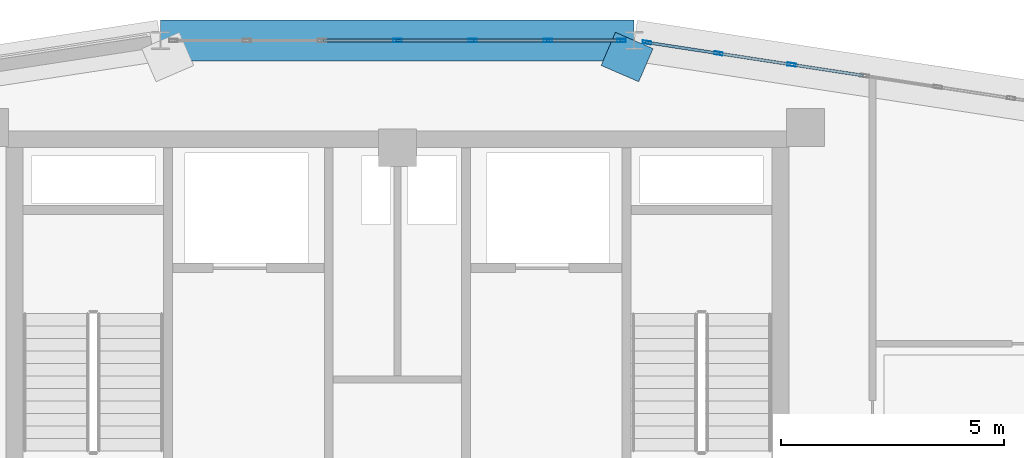
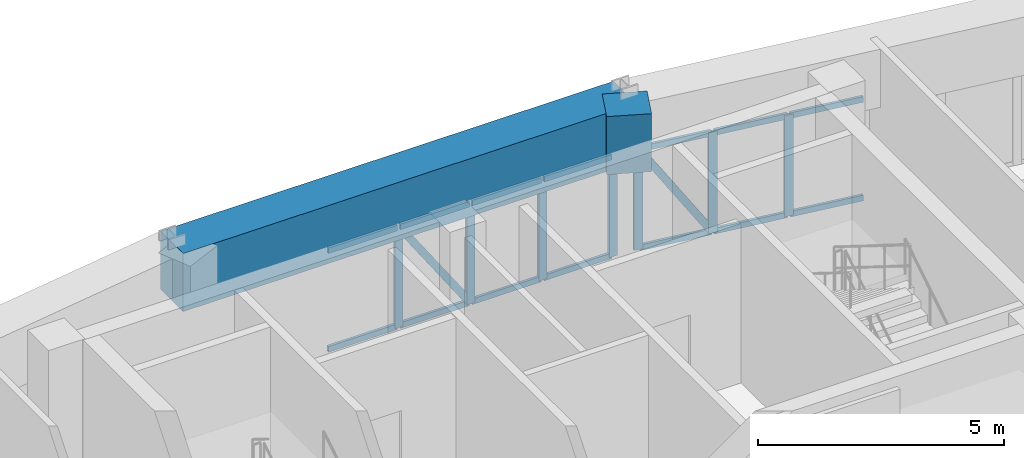
# One storey, part 9 of 16: 23 members, 2 beams, 2 elements without a shape of their own.
"""IFC4 building model written with IfcOpenShell, lengths in metres."""

import ifcopenshell
import ifcopenshell.guid

model = None  # the IFC model being written
_history = None  # IfcOwnerHistory: only IFC2X3 demands one
_inside = {}  # id of a spatial element -> (the spatial element, [elements in it])
_under = {}  # id of a project, library or spatial element -> (it, [spatial elements below it])
_declared = {}  # id of a project -> (the project, [libraries it declares])
_typed = {}  # id of a type object -> (the type object, [elements of that type])
_made_of = {}  # id of a material, layer set ... -> (it, [elements and type objects made of it])


def new_model(schema):
    """Start an empty IFC model of exactly this schema.

    Asked for "IFC4X3", IfcOpenShell would pick the latest addendum, in which some entities
    have other attributes; the version numbers below select the first issue.
    IFC2X3 requires an IfcOwnerHistory on every rooted entity: one is made here for all.
    """
    global model, _history
    if schema == "IFC4X3":
        model = ifcopenshell.file(schema_version=(4, 3, 0, 0))
    else:
        model = ifcopenshell.file(schema=schema)
    _inside.clear()
    _under.clear()
    _declared.clear()
    _typed.clear()
    _made_of.clear()
    _history = None
    if model.schema == "IFC2X3":
        org = make("IfcOrganization", Name="unknown")
        user = make(
            "IfcPersonAndOrganization",
            ThePerson=make("IfcPerson", FamilyName="unknown"),
            TheOrganization=org,
        )
        app = make(
            "IfcApplication",
            ApplicationDeveloper=org,
            Version="unknown",
            ApplicationFullName="unknown",
            ApplicationIdentifier="unknown",
        )
        _history = make(
            "IfcOwnerHistory",
            OwningUser=user,
            OwningApplication=app,
            ChangeAction="ADDED",
            CreationDate=0,
        )
    return model


def make(cls, **values):
    """One entity of the class cls with the attributes given. An attribute that is None is left unset."""
    return model.create_entity(
        cls, **{name: value for name, value in values.items() if value is not None}
    )


def rooted(cls, **values):
    """An entity with a GlobalId (a new one), such as an element, a storey or a relation."""
    return make(cls, GlobalId=ifcopenshell.guid.new(), OwnerHistory=_history, **values)


def si_unit(unit_type, name, prefix=None):
    """IfcSIUnit, for example si_unit("LENGTHUNIT", "METRE", prefix="MILLI")."""
    return make("IfcSIUnit", UnitType=unit_type, Prefix=prefix, Name=name)


def derived_unit(unit_type, elements):
    """IfcDerivedUnit: a product of units, each with its exponent."""
    return make(
        "IfcDerivedUnit",
        Elements=[
            make("IfcDerivedUnitElement", Unit=unit, Exponent=power)
            for unit, power in elements
        ],
        UnitType=unit_type,
    )


def assignment(units):
    """IfcUnitAssignment: the units of a project."""
    return None if units is None else make("IfcUnitAssignment", Units=units)


def point(xyz):
    """IfcCartesianPoint."""
    return None if xyz is None else make("IfcCartesianPoint", Coordinates=xyz)


def direction(xyz):
    """IfcDirection."""
    return None if xyz is None else make("IfcDirection", DirectionRatios=xyz)


def frame(location, z_axis=None, x_axis=None):
    """IfcAxis2Placement3D, a coordinate frame: its origin and axes. An axis left out is left unset."""
    return make(
        "IfcAxis2Placement3D",
        Location=point(location),
        Axis=direction(z_axis),
        RefDirection=direction(x_axis),
    )


def frame_2d(location, x_axis=None):
    """IfcAxis2Placement2D, a coordinate frame in the plane: its origin and x axis."""
    return make(
        "IfcAxis2Placement2D", Location=point(location), RefDirection=direction(x_axis)
    )


def origin():
    """The frame at (0, 0, 0) with its axes left unset."""
    return frame((0.0, 0.0, 0.0))


def origin_2d():
    """The frame at (0, 0) in the plane with its x axis left unset."""
    return frame_2d((0.0, 0.0))


def place(relative_to, where):
    """IfcLocalPlacement: puts the frame where relative to a parent placement (None: the world)."""
    return make(
        "IfcLocalPlacement", PlacementRelTo=relative_to, RelativePlacement=where
    )


def context(
    kind, dimensions, precision=None, world=None, true_north=None, identifier=None
):
    """IfcGeometricRepresentationContext, for example the 3D "Model" context."""
    return make(
        "IfcGeometricRepresentationContext",
        ContextIdentifier=identifier,
        ContextType=kind,
        CoordinateSpaceDimension=dimensions,
        Precision=precision,
        WorldCoordinateSystem=world,
        TrueNorth=true_north,
    )


def subcontext(parent, identifier, kind, view, scale=None):
    """IfcGeometricRepresentationSubContext, for example "Body" below "Model"."""
    return make(
        "IfcGeometricRepresentationSubContext",
        ContextIdentifier=identifier,
        ContextType=kind,
        ParentContext=parent,
        TargetScale=scale,
        TargetView=view,
    )


def project(units=None, contexts=None):
    """IfcProject with its units and contexts."""
    return rooted(
        "IfcProject",
        Name="project",
        RepresentationContexts=contexts,
        UnitsInContext=assignment(units),
    )


def spatial(cls, under=None, at=None, **own):
    """A site, building, storey or space (cls), placed at a placement, below another one or the project."""
    s = rooted(cls, ObjectPlacement=at, **own)
    if under is not None:
        _under.setdefault(under.id(), (under, []))[1].append(s)
    return s


def profile(cls, at=None, kind="AREA", **sizes):
    """A parametric profile (cls). Its sizes go by their IFC names, for example OverallWidth=200.0."""
    return make(cls, ProfileType=kind, Position=at, **sizes)


def rectangle(**sizes):
    """IfcRectangleProfileDef."""
    return profile("IfcRectangleProfileDef", **sizes)


def hollow_rectangle(**sizes):
    """IfcRectangleHollowProfileDef."""
    return profile("IfcRectangleHollowProfileDef", **sizes)


def extrude(swept, where, along, depth):
    """IfcExtrudedAreaSolid: the profile swept, set in the frame where, extruded along a direction by depth."""
    return make(
        "IfcExtrudedAreaSolid",
        SweptArea=swept,
        Position=where,
        ExtrudedDirection=direction(along),
        Depth=depth,
    )


def shape(context_of_items, identifier, shape_type, items):
    """IfcShapeRepresentation: the items that make up one representation, for example the "Body"."""
    return make(
        "IfcShapeRepresentation",
        ContextOfItems=context_of_items,
        RepresentationIdentifier=identifier,
        RepresentationType=shape_type,
        Items=items,
    )


def source(mapping_origin, context_of_items, identifier, shape_type, items):
    """IfcRepresentationMap: a shape defined once, which mapped items show again and again."""
    return make(
        "IfcRepresentationMap",
        MappingOrigin=mapping_origin,
        MappedRepresentation=shape(context_of_items, identifier, shape_type, items),
    )


def transform(
    local_origin,
    x_axis=None,
    y_axis=None,
    z_axis=None,
    scale=None,
    scale2=None,
    scale3=None,
    uniform=True,
):
    """IfcCartesianTransformationOperator3D, or its non-uniform kind. x_axis, y_axis, z_axis: its Axis1, 2, 3."""
    if uniform:
        return make(
            "IfcCartesianTransformationOperator3D",
            Axis1=direction(x_axis),
            Axis2=direction(y_axis),
            LocalOrigin=point(local_origin),
            Scale=scale,
            Axis3=direction(z_axis),
        )
    return make(
        "IfcCartesianTransformationOperator3DnonUniform",
        Axis1=direction(x_axis),
        Axis2=direction(y_axis),
        LocalOrigin=point(local_origin),
        Scale=scale,
        Axis3=direction(z_axis),
        Scale2=scale2,
        Scale3=scale3,
    )


def mapped(mapping_source, mapping_target):
    """IfcMappedItem: shows the shape of a source again, moved by a transform."""
    return make(
        "IfcMappedItem", MappingSource=mapping_source, MappingTarget=mapping_target
    )


def material(Name=None, Category=None):
    """IfcMaterial."""
    return make("IfcMaterial", Name=Name, Category=Category)


def layer(
    of_material, thickness, ventilated=None, Name=None, Category=None, Priority=None
):
    """IfcMaterialLayer: one layer of a wall or slab, of a material (None: an air gap)."""
    return make(
        "IfcMaterialLayer",
        Material=of_material,
        LayerThickness=thickness,
        IsVentilated=ventilated,
        Name=Name,
        Category=Category,
        Priority=Priority,
    )


def layer_set(layers, Name=None):
    """IfcMaterialLayerSet."""
    return make("IfcMaterialLayerSet", MaterialLayers=layers, LayerSetName=Name)


def material_profile(
    of_material, cross_section, Name=None, Category=None, Priority=None
):
    """IfcMaterialProfile: a cross section and its material."""
    return make(
        "IfcMaterialProfile",
        Name=Name,
        Material=of_material,
        Profile=cross_section,
        Priority=Priority,
        Category=Category,
    )


def profile_set(profiles, Name=None, composite=None):
    """IfcMaterialProfileSet."""
    return make(
        "IfcMaterialProfileSet",
        Name=Name,
        MaterialProfiles=profiles,
        CompositeProfile=composite,
    )


def made_of(thing, what):
    """Note that an element or type object is made of a material, layer set ...; save() writes the relation."""
    if what is not None:
        _made_of.setdefault(what.id(), (what, []))[1].append(thing)
    return thing


def type_object(cls, material=None, **own):
    """A type object (cls), such as IfcWallType, which elements share."""
    return made_of(rooted(cls, **own), material)


def element(
    cls,
    number,
    at=None,
    inside=None,
    cuts=None,
    type_object=None,
    material=None,
    context=None,
    identifier="Body",
    shape_type=None,
    held_by="IfcProductDefinitionShape",
    body=None,
    shapes=None,
    **own,
):
    """One element of the class cls, such as IfcWall. Its Tag is "e" and its number.

    at: its placement. inside: the storey or other place that contains it. cuts: it is an
    opening in that element (IfcRelVoidsElement). A single representation is given by context,
    identifier, shape_type and body (its items); several are given by shapes. held_by: the class
    of the entity that holds the representations. save() writes the other relations.
    """
    e = rooted(cls, Tag="e%d" % number, ObjectPlacement=at, **own)
    if body is not None:
        shapes = [shape(context, identifier, shape_type, body)]
    if shapes is not None:
        e.Representation = make(held_by, Representations=shapes)
    if inside is not None:
        _inside.setdefault(inside.id(), (inside, []))[1].append(e)
    if cuts is not None:
        rooted(
            "IfcRelVoidsElement", RelatingBuildingElement=cuts, RelatedOpeningElement=e
        )
    if type_object is not None:
        _typed.setdefault(type_object.id(), (type_object, []))[1].append(e)
    return made_of(e, material)


def aggregate(whole, parts):
    """IfcRelAggregates: a whole, such as a stair, and the parts it consists of."""
    return rooted("IfcRelAggregates", RelatingObject=whole, RelatedObjects=parts)


def save(model, path):
    """Write the relations noted so far, then the file.

    IfcRelAggregates (storeys below a building ...), IfcRelContainedInSpatialStructure (elements
    in a storey), IfcRelDefinesByType, IfcRelAssociatesMaterial and IfcRelDeclares: one each for
    every whole, place, type object, material and project.
    """
    for whole, parts in _under.values():
        aggregate(whole, parts)
    for where, things in _inside.values():
        rooted(
            "IfcRelContainedInSpatialStructure",
            RelatedElements=things,
            RelatingStructure=where,
        )
    for kind, things in _typed.values():
        rooted("IfcRelDefinesByType", RelatedObjects=things, RelatingType=kind)
    for what, things in _made_of.values():
        rooted("IfcRelAssociatesMaterial", RelatedObjects=things, RelatingMaterial=what)
    for by, libraries in _declared.values():
        rooted("IfcRelDeclares", RelatingContext=by, RelatedDefinitions=libraries)
    model.write(path)


model = new_model("IFC4")

# Units and contexts
model_context = context("Model", 3, precision=1e-05, world=origin(), true_north=direction((0.0, 1.0)))
body_context = subcontext(model_context, "Body", "Model", "MODEL_VIEW")
ifc_project = project(units=[si_unit("LENGTHUNIT", "METRE"), si_unit("AREAUNIT", "SQUARE_METRE"), si_unit("VOLUMEUNIT", "CUBIC_METRE"), si_unit("PLANEANGLEUNIT", "RADIAN"), si_unit("MASSUNIT", "GRAM", prefix="KILO"), derived_unit("THERMALTRANSMITTANCEUNIT", [(si_unit("POWERUNIT", "WATT"), 1), (si_unit("LENGTHUNIT", "METRE"), -2), (si_unit("THERMODYNAMICTEMPERATUREUNIT", "KELVIN"), -1)])], contexts=[model_context])

# Site, building, storey
site_placement = place(None, origin())
site = spatial("IfcSite", under=ifc_project, at=site_placement, CompositionType="ELEMENT")
building_placement = place(site_placement, origin())
building = spatial("IfcBuilding", under=site, at=building_placement, Name="Korsvarv Bourse and Concert Hall", CompositionType="ELEMENT")
storey_placement = place(building_placement, frame((0.0, 0.0, 288.0)))
storey = spatial("IfcBuildingStorey", under=building, at=storey_placement, Name="L75", CompositionType="ELEMENT", Elevation=288.0)

# Beams
ifc_material_1 = material(Name="Concrete C50/60", Category="concrete")
ifc_material_profile_1 = material_profile(ifc_material_1, rectangle(XDim=0.919921875, YDim=1.43994140625, at=origin_2d()), Name="RC-BM 920x1440")
ifc_profile_set_1 = profile_set([ifc_material_profile_1], Name="Concrete C50/60")
beam_type = type_object("IfcBeamType", Name="BM-TR-144", PredefinedType="BEAM", material=ifc_profile_set_1)
shared_shape_1 = source(origin(), body_context, "Body", "SweptSolid", [
    extrude(rectangle(XDim=0.919921875, YDim=1.43994140625, at=origin_2d()), origin(), (0.0, 0.0, 1.0), 10.62060546875),
])
beam_1_placement = place(storey_placement, frame((41.310302734375, 49.2041015625, 3.22998046875), z_axis=(-1.0, 0.0, 0.0), x_axis=(0.0, -1.0, 0.0)))
element("IfcBeam", 1, at=beam_1_placement, inside=storey, type_object=beam_type, Name="L75 beam B-TR4", PredefinedType="BEAM", context=body_context, shape_type="MappedRepresentation", body=[
    mapped(shared_shape_1, transform((0.0, 0.0, 0.0), scale=1.0)),
])
shared_shape_2 = source(origin(), body_context, "Body", "SweptSolid", [
    extrude(rectangle(XDim=0.919921875, YDim=1.43994140625, at=origin_2d()), origin(), (0.0, 0.0, 1.0), 0.808837890625),
])
beam_2_placement = place(storey_placement, frame((41.310302734375, 49.2041015625, 3.22998046875), z_axis=(-0.397268541529, -0.917702405964, 0.0), x_axis=(0.917702405964, -0.397268541529, 0.0)))
element("IfcBeam", 2, at=beam_2_placement, inside=storey, type_object=beam_type, Name="L75 beam B-TR4", PredefinedType="BEAM", context=body_context, shape_type="MappedRepresentation", body=[
    mapped(shared_shape_2, transform((0.0, 0.0, 0.0), scale=1.0)),
])

# Curtain wall, members
ifc_material_2 = material(Name="Anodised aluminium and triple low-E glazing", Category="glass")
ifc_layer = layer(ifc_material_2, 0.18994140625)
ifc_layer_set = layer_set([ifc_layer], Name="Anodised aluminium and triple low-E glazing")
curtain_wall_type = type_object("IfcCurtainWallType", Name="CW-SYS-4", PredefinedType="NOTDEFINED", material=ifc_layer_set)
curtain_wall_1_placement = place(storey_placement, origin())
curtain_wall_1 = element("IfcCurtainWall", 3, at=curtain_wall_1_placement, inside=storey, type_object=curtain_wall_type, Name="L75 CW4 curtain wall CW-L75-F02", PredefinedType="NOTDEFINED")
ifc_material_3 = material(Name="Extruded aluminium EN AW-6063 T66", Category="aluminium")
ifc_material_profile_2 = material_profile(ifc_material_3, hollow_rectangle(XDim=0.070068359375, YDim=0.18994140625, WallThickness=0.0048828125, at=origin_2d()), Name="ALU-M 70x190")
ifc_profile_set_2 = profile_set([ifc_material_profile_2], Name="Extruded aluminium EN AW-6063 T66")
member_type_1 = type_object("IfcMemberType", Name="CWM-190", PredefinedType="MULLION", material=ifc_profile_set_2)
shared_shape_3 = source(origin(), body_context, "Body", "SweptSolid", [
    extrude(hollow_rectangle(XDim=0.070068359375, YDim=0.18994140625, WallThickness=0.0048828125, at=origin_2d()), origin(), (0.0, 0.0, 1.0), 2.510009765625),
])
member_1_placement = place(storey_placement, frame((44.83984375, 48.663818359375, 0.0), z_axis=(0.0, 0.0, 1.0), x_axis=(-0.151305111127, -0.988487108336, 0.0)))
member_1 = element("IfcMember", 4, at=member_1_placement, type_object=member_type_1, Name="CW4 mullion 6", PredefinedType="MULLION", context=body_context, shape_type="MappedRepresentation", body=[
    mapped(shared_shape_3, transform((0.0, 0.0, 0.0), scale=1.0)),
])
member_2_placement = place(storey_placement, frame((43.2001953125, 48.914794921875, 0.0), z_axis=(0.0, 0.0, 1.0), x_axis=(-0.151305111127, -0.988487108336, 0.0)))
member_2 = element("IfcMember", 5, at=member_2_placement, type_object=member_type_1, Name="CW4 mullion 7", PredefinedType="MULLION", context=body_context, shape_type="MappedRepresentation", body=[
    mapped(shared_shape_3, transform((0.0, 0.0, 0.0), scale=1.0)),
])
member_3_placement = place(storey_placement, frame((41.59521484375, 49.160400390625, 0.0), z_axis=(0.0, 0.0, 1.0), x_axis=(-0.151305111127, -0.988487108336, 0.0)))
member_3 = element("IfcMember", 6, at=member_3_placement, type_object=member_type_1, Name="CW4 mullion 8", PredefinedType="MULLION", context=body_context, shape_type="MappedRepresentation", body=[
    mapped(shared_shape_3, transform((0.0, 0.0, 0.0), scale=1.0)),
])

curtain_wall_2_placement = place(storey_placement, origin())
curtain_wall_2 = element("IfcCurtainWall", 7, at=curtain_wall_2_placement, inside=storey, type_object=curtain_wall_type, Name="L75 CW4 curtain wall CW-L75-F03", PredefinedType="NOTDEFINED")
member_4_placement = place(storey_placement, frame((41.024658203125, 49.2041015625, 0.0), z_axis=(0.0, 0.0, 1.0), x_axis=(0.0, -1.0, 0.0)))
member_4 = element("IfcMember", 8, at=member_4_placement, type_object=member_type_1, Name="CW4 mullion 1", PredefinedType="MULLION", context=body_context, shape_type="MappedRepresentation", body=[
    mapped(shared_shape_3, transform((0.0, 0.0, 0.0), scale=1.0)),
])
member_5_placement = place(storey_placement, frame((39.373046875, 49.2041015625, 0.0), z_axis=(0.0, 0.0, 1.0), x_axis=(0.0, -1.0, 0.0)))
member_5 = element("IfcMember", 9, at=member_5_placement, type_object=member_type_1, Name="CW4 mullion 2", PredefinedType="MULLION", context=body_context, shape_type="MappedRepresentation", body=[
    mapped(shared_shape_3, transform((0.0, 0.0, 0.0), scale=1.0)),
])
member_6_placement = place(storey_placement, frame((37.6865234375, 49.2041015625, 0.0), z_axis=(0.0, 0.0, 1.0), x_axis=(0.0, -1.0, 0.0)))
member_6 = element("IfcMember", 10, at=member_6_placement, type_object=member_type_1, Name="CW4 mullion 3", PredefinedType="MULLION", context=body_context, shape_type="MappedRepresentation", body=[
    mapped(shared_shape_3, transform((0.0, 0.0, 0.0), scale=1.0)),
])
member_7_placement = place(storey_placement, frame((36.0, 49.2041015625, 0.0), z_axis=(0.0, 0.0, 1.0), x_axis=(0.0, -1.0, 0.0)))
member_7 = element("IfcMember", 11, at=member_7_placement, type_object=member_type_1, Name="CW4 mullion 4", PredefinedType="MULLION", context=body_context, shape_type="MappedRepresentation", body=[
    mapped(shared_shape_3, transform((0.0, 0.0, 0.0), scale=1.0)),
])

# Member
ifc_material_profile_3 = material_profile(ifc_material_3, hollow_rectangle(XDim=0.06494140625, YDim=0.139892578125, WallThickness=0.00390625, at=origin_2d()), Name="ALU-T 65x140")
ifc_profile_set_3 = profile_set([ifc_material_profile_3], Name="Extruded aluminium EN AW-6063 T66")
member_type_2 = type_object("IfcMemberType", Name="CWT-140", PredefinedType="USERDEFINED", material=ifc_profile_set_3)
shared_shape_4 = source(origin(), body_context, "Body", "SweptSolid", [
    extrude(hollow_rectangle(XDim=0.06494140625, YDim=0.139892578125, WallThickness=0.00390625, at=origin_2d()), origin(), (0.0, 0.0, 1.0), 1.5537109375),
])
member_8_placement = place(storey_placement, frame((43.165771484375, 48.919921875, 0.032470703125), z_axis=(-0.988485857041, 0.151313285699, 0.0), x_axis=(-0.151313285699, -0.988485857041, 0.0)))
member_8 = element("IfcMember", 12, at=member_8_placement, type_object=member_type_2, Name="CW4 transom 7.1", ObjectType="TRANSOM", PredefinedType="USERDEFINED", context=body_context, shape_type="MappedRepresentation", body=[
    mapped(shared_shape_4, transform((0.0, 0.0, 0.0), scale=1.0)),
])

member_9_placement = place(storey_placement, frame((43.165771484375, 48.919921875, 2.4775390625), z_axis=(-0.988485857041, 0.151313285699, 0.0), x_axis=(-0.151313285699, -0.988485857041, 0.0)))
member_9 = element("IfcMember", 13, at=member_9_placement, type_object=member_type_2, Name="CW4 transom 7.2", ObjectType="TRANSOM", PredefinedType="USERDEFINED", context=body_context, shape_type="MappedRepresentation", body=[
    mapped(shared_shape_4, transform((0.0, 0.0, 0.0), scale=1.0)),
])

ifc_material_profile_4 = material_profile(ifc_material_3, hollow_rectangle(XDim=0.06494140625, YDim=0.1650390625, WallThickness=0.0048828125, at=origin_2d()), Name="ALU-M 65x165")
ifc_profile_set_4 = profile_set([ifc_material_profile_4], Name="Extruded aluminium EN AW-6063 T66")
member_type_3 = type_object("IfcMemberType", Name="CWM-165", PredefinedType="MULLION", material=ifc_profile_set_4)
shared_shape_5 = source(origin(), body_context, "Body", "SweptSolid", [
    extrude(hollow_rectangle(XDim=0.06494140625, YDim=0.1650390625, WallThickness=0.0048828125, at=origin_2d()), origin(), (0.0, 0.0, 1.0), 2.84228515625),
])
member_10_placement = place(storey_placement, frame((43.165771484375, 48.919921875, 0.06494140625), z_axis=(-0.540349368802, 0.082714424123, 0.837365442132), x_axis=(-0.151313285699, -0.988485857041, 0.0)))
member_10 = element("IfcMember", 14, at=member_10_placement, type_object=member_type_3, Name="CW4 diagonal mullion 7", PredefinedType="MULLION", context=body_context, shape_type="MappedRepresentation", body=[
    mapped(shared_shape_5, transform((0.0, 0.0, 0.0), scale=1.0)),
])

shared_shape_6 = source(origin(), body_context, "Body", "SweptSolid", [
    extrude(hollow_rectangle(XDim=0.06494140625, YDim=0.139892578125, WallThickness=0.00390625, at=origin_2d()), origin(), (0.0, 0.0, 1.0), 1.588623046875),
])
member_11_placement = place(storey_placement, frame((46.44482421875, 48.41796875, 0.032470703125), z_axis=(-0.98847628569, 0.151375799348, 0.0), x_axis=(-0.151375799348, -0.98847628569, 0.0)))
member_11 = element("IfcMember", 15, at=member_11_placement, type_object=member_type_2, Name="CW4 transom 5.1", ObjectType="TRANSOM", PredefinedType="USERDEFINED", context=body_context, shape_type="MappedRepresentation", body=[
    mapped(shared_shape_6, transform((0.0, 0.0, 0.0), scale=1.0)),
])

member_12_placement = place(storey_placement, frame((46.44482421875, 48.41796875, 2.4775390625), z_axis=(-0.98847628569, 0.151375799348, 0.0), x_axis=(-0.151375799348, -0.98847628569, 0.0)))
member_12 = element("IfcMember", 16, at=member_12_placement, type_object=member_type_2, Name="CW4 transom 5.2", ObjectType="TRANSOM", PredefinedType="USERDEFINED", context=body_context, shape_type="MappedRepresentation", body=[
    mapped(shared_shape_6, transform((0.0, 0.0, 0.0), scale=1.0)),
])

shared_shape_7 = source(origin(), body_context, "Body", "SweptSolid", [
    extrude(hollow_rectangle(XDim=0.06494140625, YDim=0.139892578125, WallThickness=0.00390625, at=origin_2d()), origin(), (0.0, 0.0, 1.0), 1.5888671875),
])
member_13_placement = place(storey_placement, frame((44.805419921875, 48.6689453125, 0.032470703125), z_axis=(-0.988479806432, 0.151352807296, 0.0), x_axis=(-0.151352807296, -0.988479806432, 0.0)))
member_13 = element("IfcMember", 17, at=member_13_placement, type_object=member_type_2, Name="CW4 transom 6.1", ObjectType="TRANSOM", PredefinedType="USERDEFINED", context=body_context, shape_type="MappedRepresentation", body=[
    mapped(shared_shape_7, transform((0.0, 0.0, 0.0), scale=1.0)),
])

member_14_placement = place(storey_placement, frame((44.805419921875, 48.6689453125, 2.4775390625), z_axis=(-0.988479806432, 0.151352807296, 0.0), x_axis=(-0.151352807296, -0.988479806432, 0.0)))
member_14 = element("IfcMember", 18, at=member_14_placement, type_object=member_type_2, Name="CW4 transom 6.2", ObjectType="TRANSOM", PredefinedType="USERDEFINED", context=body_context, shape_type="MappedRepresentation", body=[
    mapped(shared_shape_7, transform((0.0, 0.0, 0.0), scale=1.0)),
])

aggregate(curtain_wall_1, [member_1, member_2, member_3, member_11, member_12, member_13, member_14, member_8, member_9, member_10])

shared_shape_8 = source(origin(), body_context, "Body", "SweptSolid", [
    extrude(hollow_rectangle(XDim=0.06494140625, YDim=0.139892578125, WallThickness=0.00390625, at=origin_2d()), origin(), (0.0, 0.0, 1.0), 1.58154296875),
])
member_15_placement = place(storey_placement, frame((40.98974609375, 49.2041015625, 0.032470703125), z_axis=(-1.0, 0.0, 0.0), x_axis=(0.0, -1.0, 0.0)))
member_15 = element("IfcMember", 19, at=member_15_placement, type_object=member_type_2, Name="CW4 transom 1.1", ObjectType="TRANSOM", PredefinedType="USERDEFINED", context=body_context, shape_type="MappedRepresentation", body=[
    mapped(shared_shape_8, transform((0.0, 0.0, 0.0), scale=1.0)),
])

member_16_placement = place(storey_placement, frame((40.98974609375, 49.2041015625, 2.4775390625), z_axis=(-1.0, 0.0, 0.0), x_axis=(0.0, -1.0, 0.0)))
member_16 = element("IfcMember", 20, at=member_16_placement, type_object=member_type_2, Name="CW4 transom 1.2", ObjectType="TRANSOM", PredefinedType="USERDEFINED", context=body_context, shape_type="MappedRepresentation", body=[
    mapped(shared_shape_8, transform((0.0, 0.0, 0.0), scale=1.0)),
])

shared_shape_9 = source(origin(), body_context, "Body", "SweptSolid", [
    extrude(hollow_rectangle(XDim=0.06494140625, YDim=0.139892578125, WallThickness=0.00390625, at=origin_2d()), origin(), (0.0, 0.0, 1.0), 1.616455078125),
])
member_17_placement = place(storey_placement, frame((39.338134765625, 49.2041015625, 0.032470703125), z_axis=(-1.0, 0.0, 0.0), x_axis=(0.0, -1.0, 0.0)))
member_17 = element("IfcMember", 21, at=member_17_placement, type_object=member_type_2, Name="CW4 transom 2.1", ObjectType="TRANSOM", PredefinedType="USERDEFINED", context=body_context, shape_type="MappedRepresentation", body=[
    mapped(shared_shape_9, transform((0.0, 0.0, 0.0), scale=1.0)),
])

member_18_placement = place(storey_placement, frame((39.338134765625, 49.2041015625, 2.4775390625), z_axis=(-1.0, 0.0, 0.0), x_axis=(0.0, -1.0, 0.0)))
member_18 = element("IfcMember", 22, at=member_18_placement, type_object=member_type_2, Name="CW4 transom 2.2", ObjectType="TRANSOM", PredefinedType="USERDEFINED", context=body_context, shape_type="MappedRepresentation", body=[
    mapped(shared_shape_9, transform((0.0, 0.0, 0.0), scale=1.0)),
])

shared_shape_10 = source(origin(), body_context, "Body", "SweptSolid", [
    extrude(hollow_rectangle(XDim=0.06494140625, YDim=0.139892578125, WallThickness=0.00390625, at=origin_2d()), origin(), (0.0, 0.0, 1.0), 1.61669921875),
])
member_19_placement = place(storey_placement, frame((37.651611328125, 49.2041015625, 0.032470703125), z_axis=(-1.0, 0.0, 0.0), x_axis=(0.0, -1.0, 0.0)))
member_19 = element("IfcMember", 23, at=member_19_placement, type_object=member_type_2, Name="CW4 transom 3.1", ObjectType="TRANSOM", PredefinedType="USERDEFINED", context=body_context, shape_type="MappedRepresentation", body=[
    mapped(shared_shape_10, transform((0.0, 0.0, 0.0), scale=1.0)),
])

member_20_placement = place(storey_placement, frame((37.651611328125, 49.2041015625, 2.4775390625), z_axis=(-1.0, 0.0, 0.0), x_axis=(0.0, -1.0, 0.0)))
member_20 = element("IfcMember", 24, at=member_20_placement, type_object=member_type_2, Name="CW4 transom 3.2", ObjectType="TRANSOM", PredefinedType="USERDEFINED", context=body_context, shape_type="MappedRepresentation", body=[
    mapped(shared_shape_10, transform((0.0, 0.0, 0.0), scale=1.0)),
])

member_21_placement = place(storey_placement, frame((35.965087890625, 49.2041015625, 0.032470703125), z_axis=(-1.0, 0.0, 0.0), x_axis=(0.0, -1.0, 0.0)))
member_21 = element("IfcMember", 25, at=member_21_placement, type_object=member_type_2, Name="CW4 transom 4.1", ObjectType="TRANSOM", PredefinedType="USERDEFINED", context=body_context, shape_type="MappedRepresentation", body=[
    mapped(shared_shape_10, transform((0.0, 0.0, 0.0), scale=1.0)),
])

member_22_placement = place(storey_placement, frame((35.965087890625, 49.2041015625, 2.4775390625), z_axis=(-1.0, 0.0, 0.0), x_axis=(0.0, -1.0, 0.0)))
member_22 = element("IfcMember", 26, at=member_22_placement, type_object=member_type_2, Name="CW4 transom 4.2", ObjectType="TRANSOM", PredefinedType="USERDEFINED", context=body_context, shape_type="MappedRepresentation", body=[
    mapped(shared_shape_10, transform((0.0, 0.0, 0.0), scale=1.0)),
])

shared_shape_11 = source(origin(), body_context, "Body", "SweptSolid", [
    extrude(hollow_rectangle(XDim=0.06494140625, YDim=0.1650390625, WallThickness=0.0048828125, at=origin_2d()), origin(), (0.0, 0.0, 1.0), 2.877197265625),
])
member_23_placement = place(storey_placement, frame((37.651611328125, 49.2041015625, 0.06494140625), z_axis=(-0.561885226625, 0.0, 0.827215203016), x_axis=(0.0, -1.0, 0.0)))
member_23 = element("IfcMember", 27, at=member_23_placement, type_object=member_type_3, Name="CW4 diagonal mullion 3", PredefinedType="MULLION", context=body_context, shape_type="MappedRepresentation", body=[
    mapped(shared_shape_11, transform((0.0, 0.0, 0.0), scale=1.0)),
])

aggregate(curtain_wall_2, [member_4, member_5, member_6, member_7, member_15, member_16, member_17, member_18, member_19, member_20, member_23, member_21, member_22])

save(model, "model.ifc")
